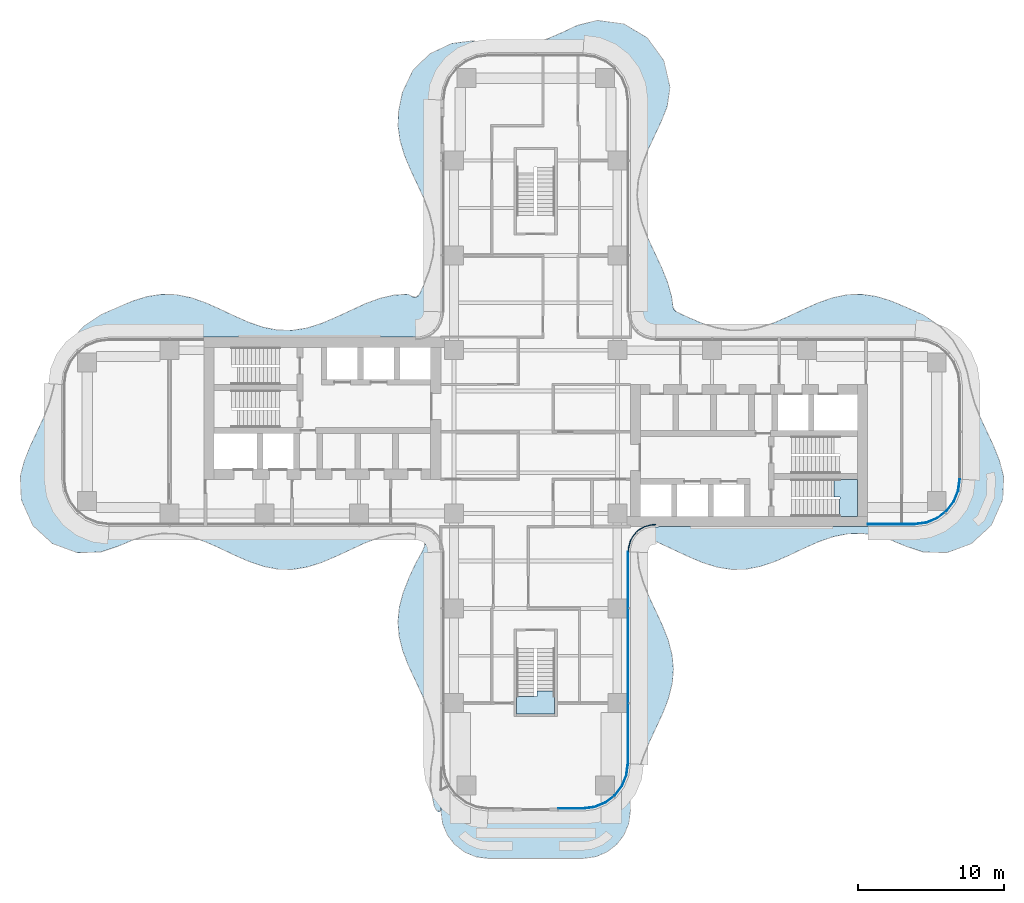
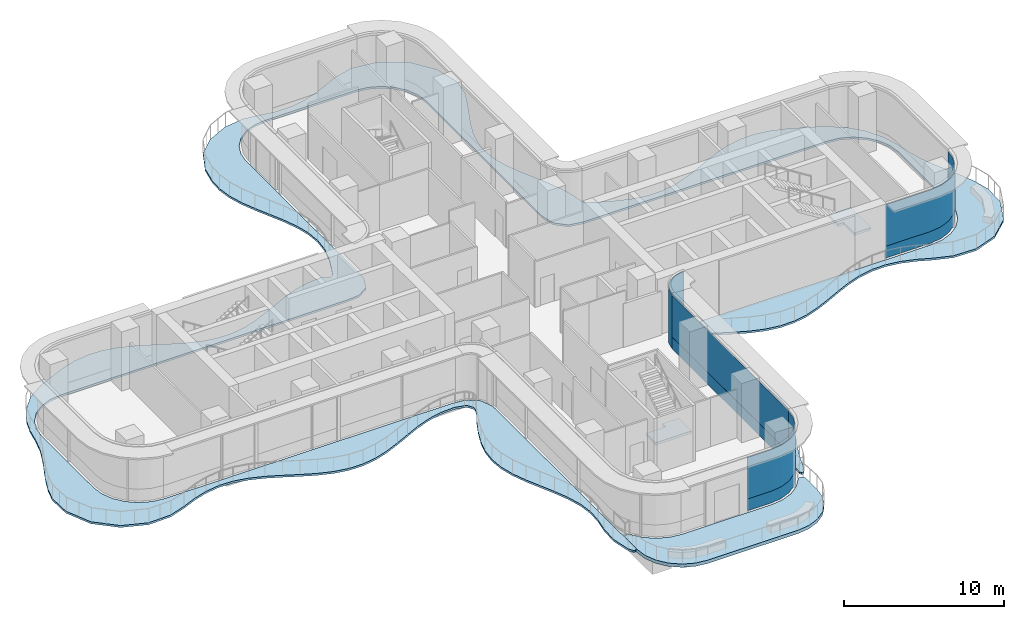
# One storey, part 14 of 22: 7 plates, 4 slabs, 6 elements without a shape of their own.
"""IFC4 building model written with IfcOpenShell, lengths in metres."""

from ifc_helpers import new_model, si_unit, direction, frame, origin, place, context, subcontext, project, spatial, polyline, outline, extrude, source, transform, mapped, material, layer, layer_set, type_object, element, aggregate, save


model = new_model("IFC4")

# Units and contexts
model_context = context("Model", 3, precision=1e-05, world=origin(), true_north=direction((0.0, 1.0)))
body_context = subcontext(model_context, "Body", "Model", "MODEL_VIEW")
ifc_project = project(units=[si_unit("LENGTHUNIT", "METRE"), si_unit("AREAUNIT", "SQUARE_METRE"), si_unit("VOLUMEUNIT", "CUBIC_METRE"), si_unit("PLANEANGLEUNIT", "RADIAN"), si_unit("MASSUNIT", "GRAM", prefix="KILO")], contexts=[model_context])

# Site, building, storey
site_placement = place(None, origin())
site = spatial("IfcSite", under=ifc_project, at=site_placement, CompositionType="ELEMENT")
building_placement = place(site_placement, origin())
building = spatial("IfcBuilding", under=site, at=building_placement, Name="Trellis Farm Tower", CompositionType="ELEMENT")
storey_placement = place(building_placement, frame((0.0, 0.0, 124.5)))
storey = spatial("IfcBuildingStorey", under=building, at=storey_placement, Name="L26", CompositionType="ELEMENT", Elevation=124.5)

# Slab
ifc_material_1 = material(Name="Concrete C40/50", Category="concrete")
ifc_layer_1 = layer(ifc_material_1, 0.14990234375)
ifc_layer_set_1 = layer_set([ifc_layer_1], Name="Balcony slab 150")
slab_type_1 = type_object("IfcSlabType", Name="Balcony slab 150", PredefinedType="FLOOR", material=ifc_layer_set_1)
slab_1_placement = place(storey_placement, frame((0.0, 0.0, -0.14990234375)))
element("IfcSlab", 1, at=slab_1_placement, inside=storey, type_object=slab_type_1, Name="Balcony slab", PredefinedType="FLOOR", context=body_context, shape_type="SweptSolid", body=[
    extrude(outline(polyline([(-22.627197265625, -7.543212890625), (-23.607421875, -7.2001953125), (-23.616943359375, -7.19775390625), (-24.595458984375, -6.99609375), (-24.608154296875, -6.994384765625), (-25.590087890625, -6.9619140625), (-25.603759765625, -6.962890625), (-26.644287109375, -7.118408203125), (-26.655517578125, -7.120849609375), (-27.601806640625, -7.412353515625), (-27.608642578125, -7.414794921875), (-28.6201171875, -7.838134765625), (-28.630615234375, -7.84228515625), (-29.80322265625, -8.231689453125), (-29.84619140625, -8.2392578125), (-31.385986328125, -8.28466796875), (-31.41455078125, -8.28271484375), (-31.4501953125, -8.27685546875), (-31.477294921875, -8.269775390625), (-33.063232421875, -7.69091796875), (-33.08984375, -7.677978515625), (-33.122314453125, -7.658203125), (-33.14599609375, -7.640380859375), (-34.472900390625, -6.420654296875), (-34.49365234375, -6.397216796875), (-34.516845703125, -6.364501953125), (-34.5322265625, -6.337158203125), (-35.266845703125, -4.648193359375), (-35.275634765625, -4.621337890625), (-35.28369140625, -4.5859375), (-35.287353515625, -4.557373046875), (-35.3310546875, -3.0126953125), (-35.325927734375, -2.969482421875), (-35.062744140625, -1.99267578125), (-35.05712890625, -1.975830078125), (-34.6689453125, -1.00537109375), (-34.665771484375, -0.99755859375), (-33.739501953125, 0.986083984375), (-33.73779296875, 0.98974609375), (-33.3447265625, 1.971435546875), (-33.342041015625, 1.979248046875), (-33.0654296875, 2.981201171875), (-33.064208984375, 2.986328125), (-32.84326171875, 4.077880859375), (-32.8388671875, 4.094482421875), (-32.498046875, 5.142578125), (-32.486572265625, 5.168701171875), (-31.909912109375, 6.208984375), (-31.890380859375, 6.236083984375), (-30.994384765625, 7.23828125), (-30.9658203125, 7.26318359375), (-29.81689453125, 8.027587890625), (-29.794677734375, 8.0400390625), (-28.62158203125, 8.560546875), (-28.618896484375, 8.561767578125), (-27.620361328125, 8.981201171875), (-27.6064453125, 8.986083984375), (-26.648193359375, 9.281494140625), (-26.626708984375, 9.286376953125), (-25.656982421875, 9.434814453125), (-25.630126953125, 9.436279296875), (-24.629638671875, 9.40869140625), (-24.603759765625, 9.40576171875), (-23.63330078125, 9.207275390625), (-23.61376953125, 9.201904296875), (-22.63671875, 8.86083984375), (-22.62548828125, 8.856201171875), (-21.640380859375, 8.4189453125), (-21.636962890625, 8.417236328125), (-20.639892578125, 7.943115234375), (-20.637939453125, 7.9423828125), (-19.663818359375, 7.514892578125), (-19.657958984375, 7.512451171875), (-18.677978515625, 7.17919921875), (-18.668212890625, 7.176513671875), (-17.689697265625, 6.987060546875), (-17.6767578125, 6.98583984375), (-16.694091796875, 6.966796875), (-16.680908203125, 6.9677734375), (-15.690185546875, 7.125), (-15.679443359375, 7.12744140625), (-14.68212890625, 7.44140625), (-14.67529296875, 7.44384765625), (-13.66064453125, 7.8759765625), (-13.65869140625, 7.876953125), (-11.68359375, 8.79296875), (-11.672119140625, 8.7978515625), (-10.67333984375, 9.163330078125), (-10.655029296875, 9.168701171875), (-9.704833984375, 9.385009765625), (-9.680419921875, 9.388427734375), (-8.7470703125, 9.44287109375), (-8.687744140625, 9.434326171875), (-8.684326171875, 9.43310546875), (-8.63330078125, 9.40234375), (-8.54150390625, 9.318115234375), (-8.52734375, 9.307861328125), (-8.408203125, 9.24169921875), (-8.375, 9.232421875), (-8.247802734375, 9.2275390625), (-8.2138671875, 9.234130859375), (-8.09814453125, 9.28759765625), (-8.071044921875, 9.308837890625), (-7.986328125, 9.415771484375), (-7.977294921875, 9.4306640625), (-7.7060546875, 10.014892578125), (-7.7041015625, 10.019287109375), (-7.30615234375, 11.0390625), (-7.303466796875, 11.047607421875), (-7.045654296875, 12.04248046875), (-7.043701171875, 12.0546875), (-6.953369140625, 13.0419921875), (-6.953369140625, 13.055419921875), (-7.039794921875, 14.035888671875), (-7.041748046875, 14.0478515625), (-7.278076171875, 14.986328125), (-7.28076171875, 14.994873046875), (-7.6708984375, 16.015869140625), (-7.673095703125, 16.020751953125), (-8.593505859375, 17.994873046875), (-8.59619140625, 18.000732421875), (-9.00341796875, 18.98291015625), (-9.008544921875, 18.99755859375), (-9.299072265625, 19.9716796875), (-9.303955078125, 19.993896484375), (-9.439453125, 20.96337890625), (-9.440673828125, 20.990234375), (-9.3994140625, 21.99072265625), (-9.396484375, 22.01416015625), (-9.14599609375, 23.2578125), (-9.13427734375, 23.292724609375), (-8.414794921875, 24.797119140625), (-8.400634765625, 24.82080078125), (-8.380126953125, 24.848876953125), (-8.3623046875, 24.869140625), (-7.271240234375, 25.908203125), (-7.232421875, 25.93505859375), (-5.794189453125, 26.62158203125), (-5.749267578125, 26.635009765625), (-4.365478515625, 26.817626953125), (-4.32470703125, 26.8173828125), (-3.14892578125, 26.649658203125), (-3.144775390625, 26.64892578125), (-2.1591796875, 26.47900390625), (-2.146484375, 26.477783203125), (-1.10302734375, 26.47802734375), (-1.089599609375, 26.479248046875), (-0.111083984375, 26.65625), (-0.10107421875, 26.65869140625), (0.878662109375, 26.982421875), (0.885009765625, 26.98486328125), (1.868408203125, 27.4111328125), (1.87060546875, 27.412353515625), (2.831787109375, 27.869140625), (2.859619140625, 27.87890625), (4.169677734375, 28.2109375), (4.197998046875, 28.215087890625), (4.234619140625, 28.21728515625), (4.262939453125, 28.21630859375), (5.988037109375, 27.986083984375), (6.017333984375, 27.97900390625), (6.05419921875, 27.96630859375), (6.08154296875, 27.95361328125), (7.63916015625, 27.03076171875), (7.664306640625, 27.01220703125), (7.69384765625, 26.985107421875), (7.71435546875, 26.961669921875), (8.7841796875, 25.464599609375), (8.799072265625, 25.438720703125), (8.81494140625, 25.403076171875), (8.82421875, 25.37451171875), (9.20751953125, 23.652587890625), (9.2109375, 23.625244140625), (9.212158203125, 23.589111328125), (9.21044921875, 23.561279296875), (9.015625, 22.287109375), (9.006103515625, 22.252685546875), (8.59619140625, 21.251220703125), (8.593505859375, 21.24462890625), (7.673095703125, 19.2705078125), (7.6708984375, 19.265869140625), (7.29345703125, 18.284912109375), (7.290771484375, 18.276123046875), (7.032470703125, 17.24169921875), (7.030517578125, 17.229248046875), (6.95361328125, 16.24267578125), (6.953857421875, 16.229248046875), (7.053466796875, 15.2490234375), (7.0556640625, 15.237548828125), (7.303466796875, 14.29736328125), (7.305908203125, 14.289306640625), (7.7041015625, 13.269287109375), (7.7060546875, 13.264892578125), (8.627685546875, 11.29052734375), (8.630859375, 11.28369140625), (9.03076171875, 10.30224609375), (9.035888671875, 10.287109375), (9.31640625, 9.31201171875), (9.32080078125, 9.290771484375), (9.425048828125, 8.5283203125), (9.4296875, 8.510498046875), (9.483642578125, 8.376708984375), (9.5048828125, 8.347412109375), (9.615966796875, 8.255615234375), (9.631591796875, 8.24560546875), (10.4208984375, 7.87158203125), (10.423583984375, 7.870361328125), (11.39404296875, 7.45556640625), (11.400634765625, 7.453125), (12.380126953125, 7.139404296875), (12.390380859375, 7.13671875), (13.369384765625, 6.972412109375), (13.38232421875, 6.97119140625), (14.3662109375, 6.979736328125), (14.379150390625, 6.98095703125), (15.37109375, 7.164306640625), (15.381103515625, 7.166748046875), (16.37939453125, 7.50146484375), (16.3857421875, 7.50390625), (17.387939453125, 7.9423828125), (17.39013671875, 7.943359375), (18.386962890625, 8.417236328125), (18.390380859375, 8.4189453125), (19.37548828125, 8.856201171875), (19.38671875, 8.86083984375), (20.36376953125, 9.201904296875), (20.38330078125, 9.207275390625), (21.35400390625, 9.40576171875), (21.37939453125, 9.40869140625), (22.349365234375, 9.438232421875), (22.375732421875, 9.436767578125), (23.35107421875, 9.292236328125), (23.372802734375, 9.287109375), (24.3564453125, 8.986083984375), (24.37060546875, 8.981201171875), (25.368896484375, 8.561767578125), (25.37158203125, 8.560546875), (26.54443359375, 8.0400390625), (26.567138671875, 8.027587890625), (27.749267578125, 7.234375), (27.777587890625, 7.209716796875), (28.61865234375, 6.266845703125), (28.637451171875, 6.240478515625), (29.222900390625, 5.2001953125), (29.234619140625, 5.17333984375), (29.5888671875, 4.0947265625), (29.59326171875, 4.07763671875), (29.814208984375, 2.986328125), (29.8154296875, 2.981201171875), (30.092041015625, 1.979248046875), (30.0947265625, 1.971435546875), (30.48779296875, 0.98974609375), (30.489501953125, 0.986083984375), (31.41162109375, -0.988525390625), (31.4150390625, -0.996337890625), (31.806884765625, -1.975341796875), (31.812744140625, -1.9931640625), (32.081787109375, -3.0205078125), (32.086669921875, -3.0634765625), (32.037353515625, -4.5576171875), (32.03369140625, -4.585693359375), (32.025634765625, -4.621337890625), (32.016845703125, -4.648193359375), (31.2822265625, -6.337158203125), (31.266845703125, -6.364501953125), (31.24365234375, -6.397216796875), (31.222900390625, -6.420654296875), (29.89599609375, -7.640380859375), (29.872314453125, -7.658203125), (29.83984375, -7.677978515625), (29.813232421875, -7.69091796875), (28.227294921875, -8.269775390625), (28.2001953125, -8.27685546875), (28.16455078125, -8.28271484375), (28.135986328125, -8.28466796875), (26.59619140625, -8.2392578125), (26.55322265625, -8.231689453125), (25.380615234375, -7.84228515625), (25.3701171875, -7.838134765625), (24.358642578125, -7.414794921875), (24.351806640625, -7.412353515625), (23.4052734375, -7.12060546875), (23.39453125, -7.118408203125), (22.41552734375, -6.966552734375), (22.40234375, -6.9658203125), (21.41796875, -6.98779296875), (21.4052734375, -6.989013671875), (20.41259765625, -7.185302734375), (20.40283203125, -7.18798828125), (19.404296875, -7.532470703125), (19.398193359375, -7.534912109375), (18.395751953125, -7.978759765625), (18.39404296875, -7.9794921875), (17.3935546875, -8.455078125), (17.389404296875, -8.45703125), (16.409912109375, -8.886962890625), (16.397705078125, -8.8916015625), (15.42138671875, -9.22314453125), (15.401611328125, -9.228515625), (14.430908203125, -9.41455078125), (14.4052734375, -9.417236328125), (13.435302734375, -9.433349609375), (13.40869140625, -9.431396484375), (12.43310546875, -9.27392578125), (12.41162109375, -9.268798828125), (11.427490234375, -8.957275390625), (11.4140625, -8.9521484375), (10.4150390625, -8.52587890625), (10.410400390625, -8.52392578125), (8.448486328125, -7.607666015625), (8.443359375, -7.60546875), (7.8974609375, -7.397216796875), (7.869384765625, -7.392333984375), (7.635986328125, -7.397216796875), (7.6083984375, -7.403076171875), (7.334228515625, -7.5205078125), (7.320068359375, -7.528564453125), (7.21826171875, -7.601318359375), (7.197021484375, -7.624755859375), (7.134765625, -7.733642578125), (7.128173828125, -7.748291015625), (6.978515625, -8.22509765625), (6.975341796875, -8.24072265625), (6.96337890625, -8.373046875), (6.9638671875, -8.389404296875), (7.083984375, -9.3095703125), (7.086181640625, -9.320556640625), (7.36865234375, -10.2998046875), (7.371337890625, -10.307373046875), (7.771728515625, -11.28955078125), (7.773193359375, -11.29296875), (8.6953125, -13.267578125), (8.698974609375, -13.2763671875), (9.08349609375, -14.255859375), (9.0888671875, -14.272705078125), (9.351318359375, -15.272705078125), (9.355712890625, -15.29638671875), (9.447021484375, -16.23828125), (9.447265625, -16.264892578125), (9.368896484375, -17.237548828125), (9.364990234375, -17.261962890625), (9.12060546875, -18.241943359375), (9.114990234375, -18.25927734375), (8.73681640625, -19.24755859375), (8.732666015625, -19.25732421875), (7.80078125, -21.2578125), (7.79931640625, -21.260986328125), (7.3876953125, -22.2568359375), (7.385986328125, -22.260986328125), (7.023193359375, -23.3193359375), (7.0185546875, -23.331298828125), (6.787353515625, -23.85595703125), (6.6865234375, -23.94091796875), (6.557861328125, -23.913818359375), (6.5, -23.79541015625), (6.5, -22.754638671875), (6.50048828125, -22.75), (6.50048828125, -8.326416015625), (6.504150390625, -8.29638671875), (6.718017578125, -7.40869140625), (6.734375, -7.367919921875), (6.761474609375, -7.32177734375), (6.78857421875, -7.2880859375), (7.39697265625, -6.719970703125), (7.432373046875, -6.6953125), (7.48046875, -6.67138671875), (7.521728515625, -6.657958984375), (8.4248046875, -6.502197265625), (8.443115234375, -6.50048828125), (26.0, -6.50048828125), (26.84130859375, -6.389892578125), (27.625244140625, -6.065185546875), (28.298583984375, -5.548583984375), (28.815185546875, -4.875244140625), (29.139892578125, -4.09130859375), (29.25048828125, -3.25), (29.25048828125, 3.25), (29.139892578125, 4.09130859375), (28.815185546875, 4.875244140625), (28.298583984375, 5.548583984375), (27.625244140625, 6.065185546875), (26.84130859375, 6.389892578125), (26.0, 6.50048828125), (8.443115234375, 6.50048828125), (8.4248046875, 6.502197265625), (7.521728515625, 6.657958984375), (7.48046875, 6.67138671875), (7.432373046875, 6.6953125), (7.39697265625, 6.719970703125), (6.78857421875, 7.2880859375), (6.761474609375, 7.32177734375), (6.734375, 7.367919921875), (6.718017578125, 7.40869140625), (6.504150390625, 8.29638671875), (6.50048828125, 8.326416015625), (6.50048828125, 22.75), (6.389892578125, 23.59130859375), (6.065185546875, 24.375244140625), (5.548583984375, 25.048583984375), (4.875244140625, 25.565185546875), (4.09130859375, 25.889892578125), (3.25, 26.00048828125), (-3.25, 26.00048828125), (-4.09130859375, 25.889892578125), (-4.875244140625, 25.565185546875), (-5.548583984375, 25.048583984375), (-6.065185546875, 24.375244140625), (-6.389892578125, 23.59130859375), (-6.50048828125, 22.75), (-6.50048828125, 8.98486328125), (-6.512451171875, 8.07861328125), (-6.51513671875, 8.0517578125), (-6.52197265625, 8.01708984375), (-6.529541015625, 7.9912109375), (-6.854736328125, 7.163818359375), (-6.8779296875, 7.1240234375), (-6.87841796875, 7.12353515625), (-6.9130859375, 7.09228515625), (-7.64501953125, 6.61865234375), (-7.676025390625, 6.603271484375), (-7.71240234375, 6.590087890625), (-7.75, 6.58203125), (-8.682373046875, 6.50048828125), (-29.25, 6.50048828125), (-30.09130859375, 6.389892578125), (-30.875244140625, 6.065185546875), (-31.548583984375, 5.548583984375), (-32.065185546875, 4.875244140625), (-32.389892578125, 4.09130859375), (-32.50048828125, 3.25), (-32.50048828125, -3.25), (-32.389892578125, -4.09130859375), (-32.065185546875, -4.875244140625), (-31.548583984375, -5.548583984375), (-30.875244140625, -6.065185546875), (-30.09130859375, -6.389892578125), (-29.25, -6.50048828125), (-8.682373046875, -6.50048828125), (-7.7548828125, -6.58154296875), (-7.718994140625, -6.589111328125), (-7.67529296875, -6.604248046875), (-7.642578125, -6.6201171875), (-6.938232421875, -7.076171875), (-6.903564453125, -7.107177734375), (-6.8671875, -7.151611328125), (-6.84375, -7.191650390625), (-6.529541015625, -7.9912109375), (-6.52197265625, -8.01708984375), (-6.51513671875, -8.0517578125), (-6.512451171875, -8.07861328125), (-6.50048828125, -8.98486328125), (-6.50048828125, -22.75), (-6.5, -22.754638671875), (-6.5, -25.91064453125), (-6.553466796875, -26.025390625), (-6.67578125, -26.058349609375), (-6.77978515625, -25.986083984375), (-6.9375, -25.714599609375), (-6.95458984375, -25.66943359375), (-7.225830078125, -24.351806640625), (-7.228759765625, -24.3154296875), (-7.177978515625, -23.0869140625), (-7.17626953125, -23.06884765625), (-7.002685546875, -22.0146484375), (-7.001708984375, -22.005859375), (-6.958251953125, -21.030029296875), (-6.958740234375, -21.01708984375), (-7.08935546875, -20.027587890625), (-7.091796875, -20.01611328125), (-7.39599609375, -18.985595703125), (-7.398681640625, -18.97802734375), (-7.80615234375, -17.99560546875), (-7.8076171875, -17.99267578125), (-8.728271484375, -16.017822265625), (-8.732421875, -16.00830078125), (-9.108642578125, -15.029296875), (-9.1142578125, -15.01220703125), (-9.3603515625, -14.039794921875), (-9.3642578125, -14.015869140625), (-9.447509765625, -13.046630859375), (-9.447265625, -13.019287109375), (-9.3505859375, -12.01904296875), (-9.346435546875, -11.9951171875), (-9.0888671875, -11.0224609375), (-9.08349609375, -11.006103515625), (-8.698974609375, -10.026123046875), (-8.6953125, -10.017822265625), (-8.24169921875, -9.040283203125), (-8.23681640625, -9.031005859375), (-7.783203125, -8.21240234375), (-7.77978515625, -8.205078125), (-7.6201171875, -7.826904296875), (-7.615234375, -7.809814453125), (-7.593505859375, -7.67529296875), (-7.59619140625, -7.64111328125), (-7.6376953125, -7.51123046875), (-7.64501953125, -7.495361328125), (-7.77978515625, -7.27294921875), (-7.788818359375, -7.260986328125), (-7.8681640625, -7.17529296875), (-7.89208984375, -7.157958984375), (-7.998779296875, -7.10986328125), (-8.012939453125, -7.10498046875), (-8.62841796875, -6.96533203125), (-8.638916015625, -6.9638671875), (-8.72509765625, -6.95654296875), (-8.736083984375, -6.956298828125), (-9.701171875, -7.01513671875), (-9.713134765625, -7.016845703125), (-10.648681640625, -7.22998046875), (-10.657958984375, -7.232666015625), (-11.680908203125, -7.60595703125), (-11.686767578125, -7.6083984375), (-13.66064453125, -8.52392578125), (-13.664794921875, -8.52587890625), (-14.6640625, -8.9521484375), (-14.677490234375, -8.95703125), (-15.63720703125, -9.262939453125), (-15.658203125, -9.26806640625), (-16.628173828125, -9.42919921875), (-16.654296875, -9.43115234375), (-17.625, -9.420166015625), (-17.65087890625, -9.41748046875), (-18.6279296875, -9.234619140625), (-18.648193359375, -9.229248046875), (-19.633544921875, -8.897216796875), (-19.645751953125, -8.892333984375), (-20.639404296875, -8.45703125), (-20.6435546875, -8.455078125), (-21.6357421875, -7.9833984375), (-21.637451171875, -7.982421875), (-22.62158203125, -7.54541015625), (-22.627197265625, -7.543212890625)])), origin(), (0.0, 0.0, 1.0), 0.14990234375),
])

# Curtain wall, plates
ifc_material_2 = material(Name="Aluminium and glass curtain wall", Category="aluminium")
ifc_layer_2 = layer(ifc_material_2, 0.18994140625)
ifc_layer_set_2 = layer_set([ifc_layer_2], Name="RIBBON CURTAIN WALL CW1")
curtain_wall_type_1 = type_object("IfcCurtainWallType", Name="RIBBON CURTAIN WALL CW1", PredefinedType="NOTDEFINED", material=ifc_layer_set_2)
placement_1 = place(storey_placement, origin())
curtain_wall_1 = element("IfcCurtainWall", 2, at=placement_1, inside=storey, type_object=curtain_wall_type_1, Name="CW1 004", PredefinedType="NOTDEFINED")
ifc_material_3 = material(Name="Clear insulated glass", Category="glass")
ifc_layer_3 = layer(ifc_material_3, 0.0400390625)
ifc_layer_set_3 = layer_set([ifc_layer_3], Name="CW1 GLASS PANEL 40")
plate_type_1 = type_object("IfcPlateType", Name="CW1 GLASS PANEL 40", PredefinedType="CURTAIN_PANEL", material=ifc_layer_set_3)
placement_2 = place(storey_placement, frame((0.0, 0.0, 0.89990234375)))
plate_1 = element("IfcPlate", 3, at=placement_2, type_object=plate_type_1, Name="PL1 004", PredefinedType="CURTAIN_PANEL", context=body_context, shape_type="SweptSolid", body=[
    extrude(outline(polyline([(1.56005859375, -25.85009765625), (3.240234375, -25.85009765625), (4.052001953125, -25.7431640625), (4.79931640625, -25.43359375), (5.441162109375, -24.941162109375), (5.93359375, -24.29931640625), (6.2431640625, -23.552001953125), (6.35009765625, -22.740234375), (6.31005859375, -22.737548828125), (6.2041015625, -23.54150390625), (5.898681640625, -24.279296875), (5.41259765625, -24.91259765625), (4.779296875, -25.398681640625), (4.04150390625, -25.7041015625), (3.237548828125, -25.81005859375), (1.56005859375, -25.81005859375), (1.56005859375, -25.85009765625)])), origin(), (0.0, 0.0, 1.0), 3.170166015625),
])
ifc_material_4 = material(Name="Sandstone faced insulated panel", Category="masonry")
ifc_layer_4 = layer(ifc_material_4, 0.050048828125)
ifc_layer_set_4 = layer_set([ifc_layer_4], Name="CW1 STONE SPANDREL PANEL 50")
plate_type_2 = type_object("IfcPlateType", Name="CW1 STONE SPANDREL PANEL 50", PredefinedType="CURTAIN_PANEL", material=ifc_layer_set_4)
plate_2 = element("IfcPlate", 4, at=placement_1, type_object=plate_type_2, Name="PS1 004", PredefinedType="CURTAIN_PANEL", context=body_context, shape_type="SweptSolid", body=[
    extrude(outline(polyline([(1.56005859375, -25.85009765625), (3.240234375, -25.85009765625), (4.052001953125, -25.7431640625), (4.79931640625, -25.43359375), (5.441162109375, -24.941162109375), (5.93359375, -24.29931640625), (6.2431640625, -23.552001953125), (6.35009765625, -22.740234375), (6.300048828125, -22.73681640625), (6.1943359375, -23.5390625), (5.889892578125, -24.274169921875), (5.405517578125, -24.905517578125), (4.774169921875, -25.389892578125), (4.0390625, -25.6943359375), (3.23681640625, -25.800048828125), (1.56005859375, -25.800048828125), (1.56005859375, -25.85009765625)])), origin(), (0.0, 0.0, 1.0), 0.89990234375),
])
aggregate(curtain_wall_1, [plate_1, plate_2])

# Slab
ifc_layer_5 = layer(ifc_material_1, 0.25)
ifc_layer_set_5 = layer_set([ifc_layer_5], Name="Terrace slab on composite deck 250")
slab_type_2 = type_object("IfcSlabType", Name="Terrace slab on composite deck 250", PredefinedType="FLOOR", material=ifc_layer_set_5)
slab_2_placement = place(storey_placement, frame((0.0, 0.0, -0.25)))
element("IfcSlab", 5, at=slab_2_placement, inside=storey, type_object=slab_type_2, Name="Terrace slab", PredefinedType="FLOOR", context=body_context, shape_type="SweptSolid", body=[
    extrude(outline(polyline([(-6.228271484375, -24.294921875), (-6.052978515625, -24.39111328125), (-5.548583984375, -25.048583984375), (-4.875244140625, -25.565185546875), (-4.09130859375, -25.889892578125), (-3.25, -26.00048828125), (3.25, -26.00048828125), (4.09130859375, -25.889892578125), (4.875244140625, -25.565185546875), (5.548583984375, -25.048583984375), (6.052978515625, -24.39111328125), (6.228271484375, -24.294921875), (6.4189453125, -24.359619140625), (6.5, -24.5439453125), (6.5, -25.983642578125), (6.497802734375, -26.01611328125), (6.3935546875, -26.80859375), (6.376708984375, -26.87158203125), (6.0771484375, -27.594482421875), (6.04443359375, -27.651123046875), (5.568115234375, -28.27197265625), (5.52197265625, -28.318115234375), (4.901123046875, -28.79443359375), (4.844482421875, -28.8271484375), (4.12158203125, -29.126708984375), (4.05859375, -29.1435546875), (3.26611328125, -29.247802734375), (3.233642578125, -29.25), (-3.233642578125, -29.25), (-3.26611328125, -29.247802734375), (-4.05859375, -29.1435546875), (-4.12158203125, -29.126708984375), (-4.844482421875, -28.8271484375), (-4.901123046875, -28.79443359375), (-5.52197265625, -28.318115234375), (-5.568115234375, -28.27197265625), (-6.04443359375, -27.651123046875), (-6.0771484375, -27.594482421875), (-6.376708984375, -26.87158203125), (-6.3935546875, -26.80859375), (-6.497802734375, -26.01611328125), (-6.5, -25.983642578125), (-6.5, -24.5439453125), (-6.4189453125, -24.359619140625), (-6.228271484375, -24.294921875)])), origin(), (0.0, 0.0, 1.0), 0.25),
])

# Stair, slab
ifc_material_5 = material(Name="Concrete C50/60", Category="concrete")
stair_type = type_object("IfcStairType", Name="CORE EXIT STAIR 26 RISERS 173 MM", PredefinedType="HALF_TURN_STAIR", material=ifc_material_5)
stair_1 = element("IfcStair", 6, at=placement_1, inside=storey, type_object=stair_type, Name="Exit stair S", PredefinedType="HALF_TURN_STAIR")
ifc_layer_6 = layer(ifc_material_5, 0.18994140625)
ifc_layer_set_6 = layer_set([ifc_layer_6], Name="CORE STAIR LANDING 190 CONCRETE C50/60")
slab_type_3 = type_object("IfcSlabType", Name="CORE STAIR LANDING 190 CONCRETE C50/60", PredefinedType="LANDING", material=ifc_layer_set_6)
shared_shape_1 = source(origin(), body_context, "Body", "SweptSolid", [
    extrude(outline(polyline([(1.300048828125, -19.35009765625), (-1.300048828125, -19.35009765625), (-1.300048828125, -18.14990234375), (-1.300048828125, -18.139892578125), (-0.10009765625, -18.139892578125), (-0.10009765625, -18.14990234375), (0.10009765625, -18.14990234375), (0.10009765625, -17.753173828125), (1.300048828125, -17.753173828125), (1.300048828125, -18.14990234375), (1.300048828125, -19.35009765625)])), origin(), (0.0, 0.0, 1.0), 0.18994140625),
])
placement_3 = place(storey_placement, frame((0.0, 0.0, 2.06005859375)))
slab_3 = element("IfcSlab", 7, at=placement_3, type_object=slab_type_3, Name="STS landing 1", PredefinedType="LANDING", context=body_context, shape_type="MappedRepresentation", body=[
    mapped(shared_shape_1, transform((0.0, 0.0, 0.0))),
])
aggregate(stair_1, [slab_3])

stair_2 = element("IfcStair", 8, at=placement_1, inside=storey, type_object=stair_type, Name="Exit stair E1", PredefinedType="HALF_TURN_STAIR")
shared_shape_2 = source(origin(), body_context, "Body", "SweptSolid", [
    extrude(outline(polyline([(20.840087890625, -5.800048828125), (20.840087890625, -4.60009765625), (20.85009765625, -4.60009765625), (20.85009765625, -4.449951171875), (20.453125, -4.449951171875), (20.453125, -3.25), (20.85009765625, -3.25), (22.050048828125, -3.25), (22.050048828125, -5.800048828125), (20.85009765625, -5.800048828125), (20.840087890625, -5.800048828125)])), origin(), (0.0, 0.0, 1.0), 0.18994140625),
])
slab_4 = element("IfcSlab", 9, at=placement_3, type_object=slab_type_3, Name="STE1 landing 1", PredefinedType="LANDING", context=body_context, shape_type="MappedRepresentation", body=[
    mapped(shared_shape_2, transform((0.0, 0.0, 0.0))),
])
aggregate(stair_2, [slab_4])

# Curtain wall, plate
ifc_layer_7 = layer(ifc_material_2, 0.166015625)
ifc_layer_set_7 = layer_set([ifc_layer_7], Name="WINTER GARDEN CURTAIN WALL CW3")
curtain_wall_type_2 = type_object("IfcCurtainWallType", Name="WINTER GARDEN CURTAIN WALL CW3", PredefinedType="NOTDEFINED", material=ifc_layer_set_7)
curtain_wall_2 = element("IfcCurtainWall", 10, at=placement_1, inside=storey, type_object=curtain_wall_type_2, Name="CW3 002", PredefinedType="NOTDEFINED")
ifc_layer_8 = layer(ifc_material_3, 0.0458984375)
ifc_layer_set_8 = layer_set([ifc_layer_8], Name="CW3 GLASS PANEL 46")
plate_type_3 = type_object("IfcPlateType", Name="CW3 GLASS PANEL 46", PredefinedType="CURTAIN_PANEL", material=ifc_layer_set_8)
shared_shape_3 = source(origin(), body_context, "Body", "SweptSolid", [
    extrude(outline(polyline([(6.3798828125, -8.2275390625), (6.394287109375, -8.0078125), (6.40966796875, -7.89208984375), (6.52490234375, -7.462158203125), (6.7509765625, -7.070556640625), (7.070556640625, -6.7509765625), (7.462158203125, -6.52490234375), (7.89208984375, -6.40966796875), (8.0078125, -6.394287109375), (8.2275390625, -6.3798828125), (8.22607421875, -6.333984375), (8.003173828125, -6.3486328125), (7.883056640625, -6.364501953125), (7.4443359375, -6.48193359375), (7.04248046875, -6.714111328125), (6.714111328125, -7.04248046875), (6.48193359375, -7.4443359375), (6.364501953125, -7.883056640625), (6.3486328125, -8.003173828125), (6.333984375, -8.22607421875), (6.3798828125, -8.2275390625)])), origin(), (0.0, 0.0, 1.0), 4.10009765625),
])
plate_3 = element("IfcPlate", 11, at=placement_1, type_object=plate_type_3, Name="PL3 002", PredefinedType="CURTAIN_PANEL", context=body_context, shape_type="MappedRepresentation", body=[
    mapped(shared_shape_3, transform((0.0, 0.0, 0.0))),
])
aggregate(curtain_wall_2, [plate_3])

# Curtain wall, plates
curtain_wall_3 = element("IfcCurtainWall", 12, at=placement_1, inside=storey, type_object=curtain_wall_type_1, Name="CW1 006", PredefinedType="NOTDEFINED")
shared_shape_4 = source(origin(), body_context, "Body", "SweptSolid", [
    extrude(outline(polyline([(22.780029296875, -6.35009765625), (25.990234375, -6.35009765625), (26.802001953125, -6.2431640625), (27.54931640625, -5.93359375), (28.191162109375, -5.441162109375), (28.68359375, -4.79931640625), (28.9931640625, -4.052001953125), (29.10009765625, -3.240234375), (29.06005859375, -3.237548828125), (28.9541015625, -4.04150390625), (28.648681640625, -4.779296875), (28.16259765625, -5.41259765625), (27.529296875, -5.898681640625), (26.79150390625, -6.2041015625), (25.987548828125, -6.31005859375), (22.780029296875, -6.31005859375), (22.780029296875, -6.35009765625)])), origin(), (0.0, 0.0, 1.0), 3.170166015625),
])
plate_4 = element("IfcPlate", 13, at=placement_2, type_object=plate_type_1, Name="PL1 006", PredefinedType="CURTAIN_PANEL", context=body_context, shape_type="MappedRepresentation", body=[
    mapped(shared_shape_4, transform((0.0, 0.0, 0.0))),
])
shared_shape_5 = source(origin(), body_context, "Body", "SweptSolid", [
    extrude(outline(polyline([(22.780029296875, -6.35009765625), (25.990234375, -6.35009765625), (26.802001953125, -6.2431640625), (27.54931640625, -5.93359375), (28.191162109375, -5.441162109375), (28.68359375, -4.79931640625), (28.9931640625, -4.052001953125), (29.10009765625, -3.240234375), (29.050048828125, -3.23681640625), (28.9443359375, -4.0390625), (28.639892578125, -4.774169921875), (28.155517578125, -5.405517578125), (27.524169921875, -5.889892578125), (26.7890625, -6.1943359375), (25.98681640625, -6.300048828125), (22.780029296875, -6.300048828125), (22.780029296875, -6.35009765625)])), origin(), (0.0, 0.0, 1.0), 0.89990234375),
])
plate_5 = element("IfcPlate", 14, at=placement_1, type_object=plate_type_2, Name="PS1 006", PredefinedType="CURTAIN_PANEL", context=body_context, shape_type="MappedRepresentation", body=[
    mapped(shared_shape_5, transform((0.0, 0.0, 0.0))),
])
aggregate(curtain_wall_3, [plate_4, plate_5])

curtain_wall_4 = element("IfcCurtainWall", 15, at=placement_1, inside=storey, type_object=curtain_wall_type_1, Name="CW1 005", PredefinedType="NOTDEFINED")
shared_shape_6 = source(origin(), body_context, "Body", "SweptSolid", [
    extrude(outline(polyline([(6.35009765625, -22.740234375), (6.35009765625, -8.2265625), (6.31005859375, -8.22509765625), (6.31005859375, -22.737548828125), (6.35009765625, -22.740234375)])), origin(), (0.0, 0.0, 1.0), 3.170166015625),
])
plate_6 = element("IfcPlate", 16, at=placement_2, type_object=plate_type_1, Name="PL1 005", PredefinedType="CURTAIN_PANEL", context=body_context, shape_type="MappedRepresentation", body=[
    mapped(shared_shape_6, transform((0.0, 0.0, 0.0))),
])
shared_shape_7 = source(origin(), body_context, "Body", "SweptSolid", [
    extrude(outline(polyline([(6.35009765625, -22.740234375), (6.35009765625, -8.2265625), (6.300048828125, -8.224853515625), (6.300048828125, -22.73681640625), (6.35009765625, -22.740234375)])), origin(), (0.0, 0.0, 1.0), 0.89990234375),
])
plate_7 = element("IfcPlate", 17, at=placement_1, type_object=plate_type_2, Name="PS1 005", PredefinedType="CURTAIN_PANEL", context=body_context, shape_type="MappedRepresentation", body=[
    mapped(shared_shape_7, transform((0.0, 0.0, 0.0))),
])
aggregate(curtain_wall_4, [plate_6, plate_7])

save(model, "model.ifc")
